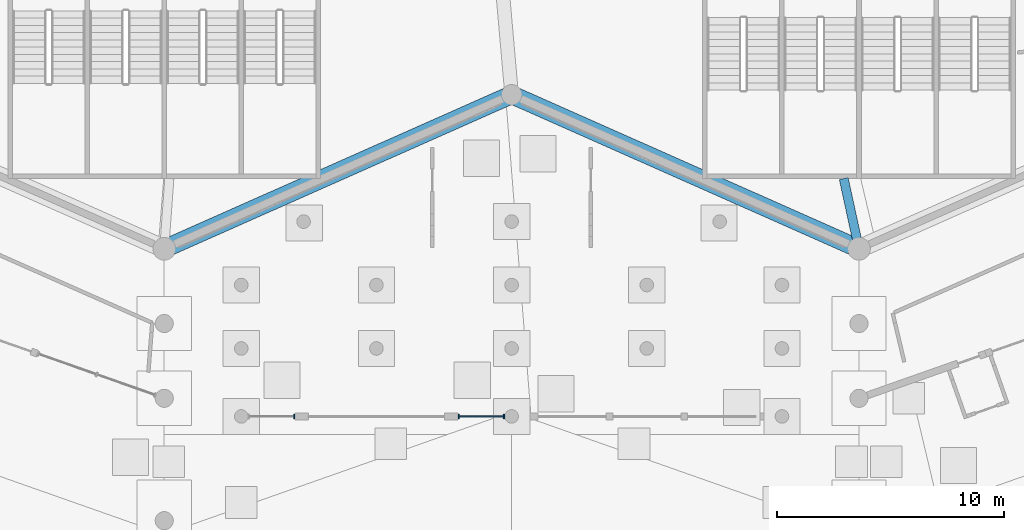
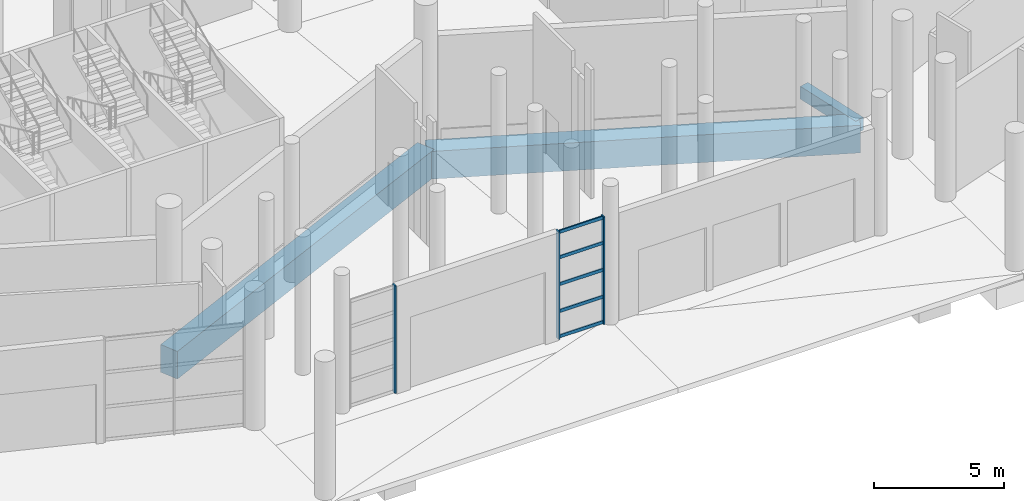
# One storey, part 28 of 255: 8 members, 3 beams, 2 elements without a shape of their own.
"""IFC4 building model written with IfcOpenShell, lengths in metres."""

from ifc_helpers import new_model, si_unit, direction, frame, origin, origin_2d, place, context, subcontext, project, spatial, rectangle, extrude, material, layer, layer_set, material_profile, profile_set, type_object, element, aggregate, save


model = new_model("IFC4")

# Units and contexts
model_context = context("Model", 3, precision=1e-05, world=origin(), true_north=direction((0.0, 1.0)))
body_context = subcontext(model_context, "Body", "Model", "MODEL_VIEW")
ifc_project = project(units=[si_unit("LENGTHUNIT", "METRE"), si_unit("AREAUNIT", "SQUARE_METRE"), si_unit("VOLUMEUNIT", "CUBIC_METRE"), si_unit("PLANEANGLEUNIT", "RADIAN"), si_unit("MASSUNIT", "GRAM", prefix="KILO")], contexts=[model_context])

# Site, building, storey
site_placement = place(None, origin())
site = spatial("IfcSite", under=ifc_project, at=site_placement, CompositionType="ELEMENT")
building_placement = place(site_placement, origin())
building = spatial("IfcBuilding", under=site, at=building_placement, Name="Meseta Stadium", CompositionType="ELEMENT")
storey_placement = place(building_placement, origin())
storey = spatial("IfcBuildingStorey", under=building, at=storey_placement, Name="L00", CompositionType="ELEMENT", Elevation=0.0)

# Beams
ifc_material_1 = material(Name="Concrete C40/50", Category="concrete")
ifc_material_profile_1 = material_profile(ifc_material_1, rectangle(XDim=0.39990234375, YDim=0.60009765625, at=origin_2d()), Name="RC 400x600")
ifc_profile_set_1 = profile_set([ifc_material_profile_1], Name="Concrete C40/50")
beam_type_1 = type_object("IfcBeamType", Name="RC beam 400x600", PredefinedType="BEAM", material=ifc_profile_set_1)
beam_1_placement = place(storey_placement, frame((22.3251953125, -102.300048828125, -0.699951171875), z_axis=(0.212707595725, -0.977115898305, 0.0), x_axis=(0.977115898305, 0.212707595725, 0.0)))
element("IfcBeam", 1, at=beam_1_placement, inside=storey, type_object=beam_type_1, Name="L00 radial beam frame 48 line P to R", PredefinedType="BEAM", context=body_context, shape_type="SweptSolid", body=[
    extrude(rectangle(XDim=0.39990234375, YDim=0.60009765625, at=origin_2d()), origin(), (0.0, 0.0, 1.0), 3.17236328125),
])
ifc_material_2 = material(Name="Concrete C40/50", Category="concrete")
ifc_material_profile_2 = material_profile(ifc_material_2, rectangle(XDim=0.800048828125, YDim=1.300048828125, at=origin_2d()), Name="RC 800x1300")
ifc_profile_set_2 = profile_set([ifc_material_profile_2], Name="Concrete C40/50")
beam_type_2 = type_object("IfcBeamType", Name="RC beam 800x1300", PredefinedType="BEAM", material=ifc_profile_set_2)
beam_2_placement = place(storey_placement, frame((-7.666748046875, -105.39990234375, -1.050048828125), z_axis=(0.914144956099, 0.405387468033, 0.0), x_axis=(-0.405387468033, 0.914144956099, 0.0)))
element("IfcBeam", 2, at=beam_2_placement, inside=storey, type_object=beam_type_2, Name="L00 ring beam frame 46 line R", PredefinedType="BEAM", context=body_context, shape_type="SweptSolid", body=[
    extrude(rectangle(XDim=0.800048828125, YDim=1.300048828125, at=origin_2d()), origin(), (0.0, 0.0, 1.0), 16.773681640625),
])
beam_3_placement = place(storey_placement, frame((7.666748046875, -98.60009765625, -1.050048828125), z_axis=(0.914142564088, -0.405392861953, 0.0), x_axis=(0.405392861953, 0.914142564088, 0.0)))
element("IfcBeam", 3, at=beam_3_placement, inside=storey, type_object=beam_type_2, Name="L00 ring beam frame 47 line R", PredefinedType="BEAM", context=body_context, shape_type="SweptSolid", body=[
    extrude(rectangle(XDim=0.800048828125, YDim=1.300048828125, at=origin_2d()), origin(), (0.0, 0.0, 1.0), 16.7734375),
])

# Curtain wall, member
ifc_material_3 = material(Name="Aluminium", Category="aluminium")
ifc_layer = layer(ifc_material_3, 0.199951171875)
ifc_layer_set = layer_set([ifc_layer], Name="Gate hall curtain wall")
curtain_wall_type = type_object("IfcCurtainWallType", Name="Gate hall curtain wall", PredefinedType="NOTDEFINED", material=ifc_layer_set)
curtain_wall_1_placement = place(storey_placement, origin())
curtain_wall_1 = element("IfcCurtainWall", 4, at=curtain_wall_1_placement, inside=storey, type_object=curtain_wall_type, Name="Gate 7 glazing", PredefinedType="NOTDEFINED")
ifc_material_4 = material(Name="Aluminium", Category="aluminium")
ifc_material_profile_3 = material_profile(ifc_material_4, rectangle(XDim=0.199951171875, YDim=0.06005859375, at=origin_2d()), Name="CW 200x60")
ifc_profile_set_3 = profile_set([ifc_material_profile_3], Name="Aluminium")
member_type_1 = type_object("IfcMemberType", Name="Ring CW mullion 60x200", PredefinedType="MULLION", material=ifc_profile_set_3)
member_1_placement = place(storey_placement, frame((-1.929931640625, -112.800048828125, 0.0), z_axis=(0.0, 0.0, 1.0), x_axis=(0.0, 1.0, 0.0)))
member_1 = element("IfcMember", 5, at=member_1_placement, type_object=member_type_1, Name="CWG1 mullion 2", PredefinedType="MULLION", context=body_context, shape_type="SweptSolid", body=[
    extrude(rectangle(XDim=0.199951171875, YDim=0.06005859375, at=origin_2d()), origin(), (0.0, 0.0, 1.0), 5.050048828125),
])
aggregate(curtain_wall_1, [member_1])

# Curtain wall, members
curtain_wall_2_placement = place(storey_placement, origin())
curtain_wall_2 = element("IfcCurtainWall", 6, at=curtain_wall_2_placement, inside=storey, type_object=curtain_wall_type, Name="Gate 7 glazing", PredefinedType="NOTDEFINED")
member_2_placement = place(storey_placement, frame((5.330078125, -112.800048828125, 0.0), z_axis=(0.0, 0.0, 1.0), x_axis=(0.0, 1.0, 0.0)))
member_2 = element("IfcMember", 7, at=member_2_placement, type_object=member_type_1, Name="CWG1 mullion 1", PredefinedType="MULLION", context=body_context, shape_type="SweptSolid", body=[
    extrude(rectangle(XDim=0.199951171875, YDim=0.06005859375, at=origin_2d()), origin(), (0.0, 0.0, 1.0), 5.050048828125),
])
member_3_placement = place(storey_placement, frame((7.336669921875, -112.800048828125, 0.0), z_axis=(0.0, 0.0, 1.0), x_axis=(0.0, 1.0, 0.0)))
member_3 = element("IfcMember", 8, at=member_3_placement, type_object=member_type_1, Name="CWG1 mullion 2", PredefinedType="MULLION", context=body_context, shape_type="SweptSolid", body=[
    extrude(rectangle(XDim=0.199951171875, YDim=0.06005859375, at=origin_2d()), origin(), (0.0, 0.0, 1.0), 5.050048828125),
])
ifc_material_5 = material(Name="Aluminium", Category="aluminium")
ifc_material_profile_4 = material_profile(ifc_material_5, rectangle(XDim=0.06005859375, YDim=0.14990234375, at=origin_2d()), Name="CW 60x150")
ifc_profile_set_4 = profile_set([ifc_material_profile_4], Name="Aluminium")
member_type_2 = type_object("IfcMemberType", Name="Ring CW transom 60x150", PredefinedType="USERDEFINED", material=ifc_profile_set_4)
member_4_placement = place(storey_placement, frame((5.360107421875, -112.800048828125, 0.074951171875), z_axis=(1.0, 0.0, 0.0), x_axis=(0.0, 1.0, 0.0)))
member_4 = element("IfcMember", 9, at=member_4_placement, type_object=member_type_2, Name="CWG1 transom 1.1", ObjectType="TRANSOM", PredefinedType="USERDEFINED", context=body_context, shape_type="SweptSolid", body=[
    extrude(rectangle(XDim=0.06005859375, YDim=0.14990234375, at=origin_2d()), origin(), (0.0, 0.0, 1.0), 1.946533203125),
])
member_5_placement = place(storey_placement, frame((5.360107421875, -112.800048828125, 1.262451171875), z_axis=(1.0, 0.0, 0.0), x_axis=(0.0, 1.0, 0.0)))
member_5 = element("IfcMember", 10, at=member_5_placement, type_object=member_type_2, Name="CWG1 transom 1.2", ObjectType="TRANSOM", PredefinedType="USERDEFINED", context=body_context, shape_type="SweptSolid", body=[
    extrude(rectangle(XDim=0.06005859375, YDim=0.14990234375, at=origin_2d()), origin(), (0.0, 0.0, 1.0), 1.946533203125),
])
member_6_placement = place(storey_placement, frame((5.360107421875, -112.800048828125, 2.52490234375), z_axis=(1.0, 0.0, 0.0), x_axis=(0.0, 1.0, 0.0)))
member_6 = element("IfcMember", 11, at=member_6_placement, type_object=member_type_2, Name="CWG1 transom 1.3", ObjectType="TRANSOM", PredefinedType="USERDEFINED", context=body_context, shape_type="SweptSolid", body=[
    extrude(rectangle(XDim=0.06005859375, YDim=0.14990234375, at=origin_2d()), origin(), (0.0, 0.0, 1.0), 1.946533203125),
])
member_7_placement = place(storey_placement, frame((5.360107421875, -112.800048828125, 3.78759765625), z_axis=(1.0, 0.0, 0.0), x_axis=(0.0, 1.0, 0.0)))
member_7 = element("IfcMember", 12, at=member_7_placement, type_object=member_type_2, Name="CWG1 transom 1.4", ObjectType="TRANSOM", PredefinedType="USERDEFINED", context=body_context, shape_type="SweptSolid", body=[
    extrude(rectangle(XDim=0.06005859375, YDim=0.14990234375, at=origin_2d()), origin(), (0.0, 0.0, 1.0), 1.946533203125),
])
member_8_placement = place(storey_placement, frame((5.360107421875, -112.800048828125, 4.97509765625), z_axis=(1.0, 0.0, 0.0), x_axis=(0.0, 1.0, 0.0)))
member_8 = element("IfcMember", 13, at=member_8_placement, type_object=member_type_2, Name="CWG1 transom 1.5", ObjectType="TRANSOM", PredefinedType="USERDEFINED", context=body_context, shape_type="SweptSolid", body=[
    extrude(rectangle(XDim=0.06005859375, YDim=0.14990234375, at=origin_2d()), origin(), (0.0, 0.0, 1.0), 1.946533203125),
])
aggregate(curtain_wall_2, [member_2, member_3, member_4, member_5, member_6, member_7, member_8])

save(model, "model.ifc")
